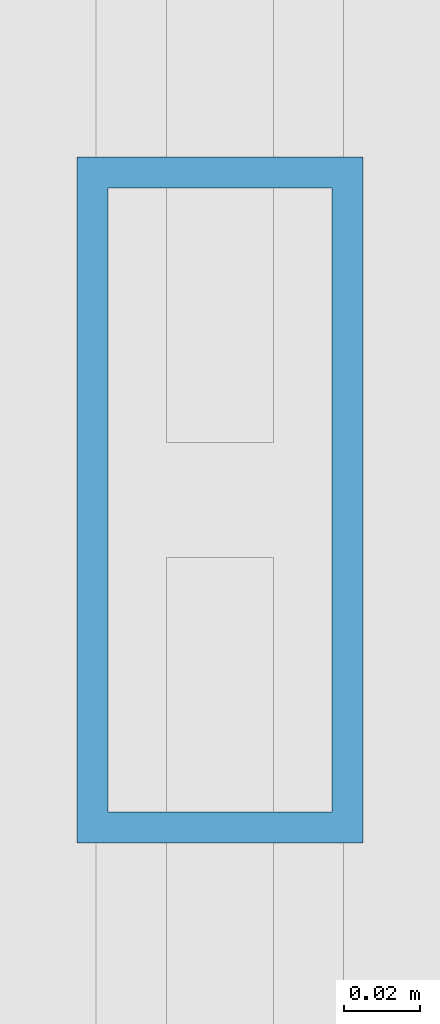
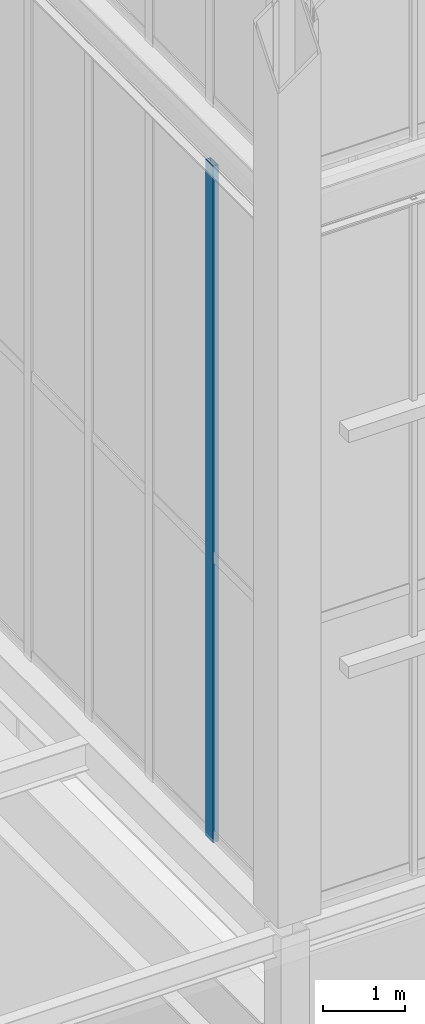
# One storey, part 37 of 135: 1 member, 1 element without a shape of its own.
"""IFC4 building model written with IfcOpenShell, lengths in metres."""

from ifc_helpers import new_model, si_unit, direction, frame, origin, origin_2d, place, context, subcontext, project, spatial, hollow_rectangle, extrude, source, transform, mapped, material, layer, layer_set, material_profile, profile_set, type_object, element, aggregate, save


model = new_model("IFC4")

# Units and contexts
model_context = context("Model", 3, precision=1e-05, world=origin(), true_north=direction((0.0, 1.0)))
body_context = subcontext(model_context, "Body", "Model", "MODEL_VIEW")
ifc_project = project(units=[si_unit("LENGTHUNIT", "METRE"), si_unit("AREAUNIT", "SQUARE_METRE"), si_unit("VOLUMEUNIT", "CUBIC_METRE"), si_unit("PLANEANGLEUNIT", "RADIAN"), si_unit("MASSUNIT", "GRAM", prefix="KILO")], contexts=[model_context])

# Site, building, storey
site_placement = place(None, origin())
site = spatial("IfcSite", under=ifc_project, at=site_placement, CompositionType="ELEMENT")
building_placement = place(site_placement, origin())
building = spatial("IfcBuilding", under=site, at=building_placement, Name="Giltprow Tower", CompositionType="ELEMENT")
storey_placement = place(building_placement, frame((0.0, 0.0, 352.699951171875)))
storey = spatial("IfcBuildingStorey", under=building, at=storey_placement, Name="L92", CompositionType="ELEMENT", Elevation=352.699951171875)

# Curtain wall, member
ifc_material = material(Name="Anodized bronze", Category="metal")
ifc_layer = layer(ifc_material, 0.179931640625, Name="Anodized bronze")
ifc_layer_set = layer_set([ifc_layer], Name="Anodized bronze")
curtain_wall_type = type_object("IfcCurtainWallType", Name="CW-CROWN-LANTERN", PredefinedType="NOTDEFINED", material=ifc_layer_set)
curtain_wall_placement = place(storey_placement, origin())
curtain_wall = element("IfcCurtainWall", 1, at=curtain_wall_placement, inside=storey, type_object=curtain_wall_type, Name="Crown East Lower Lantern Glazing 6", PredefinedType="NOTDEFINED")
ifc_material_profile = material_profile(ifc_material, hollow_rectangle(XDim=0.074951171875, YDim=0.179931640625, WallThickness=0.008056640625, at=origin_2d()), Name="RHS 180x75x8")
ifc_profile_set = profile_set([ifc_material_profile], Name="Anodized bronze")
member_type = type_object("IfcMemberType", Name="CW-MULLION-180x75", PredefinedType="MULLION", material=ifc_profile_set)
shared_shape = source(origin(), body_context, "Body", "SweptSolid", [
    extrude(hollow_rectangle(XDim=0.074951171875, YDim=0.179931640625, WallThickness=0.008056640625, at=origin_2d()), origin(), (0.0, 0.0, 1.0), 10.030029296875),
])
member_placement = place(storey_placement, frame((44.300048828125, 25.322021484375, 6.35009765625), z_axis=(0.0, 0.0, 1.0), x_axis=(1.0, 0.0, 0.0)))
member = element("IfcMember", 2, at=member_placement, type_object=member_type, Name="Crown East Lower Lantern Glazing 6 Mullion 9", PredefinedType="MULLION", context=body_context, shape_type="MappedRepresentation", body=[
    mapped(shared_shape, transform((0.0, 0.0, 0.0), x_axis=(1.0, 0.0, 0.0), y_axis=(0.0, 1.0, 0.0), z_axis=(0.0, 0.0, 1.0), scale=1.0)),
])
aggregate(curtain_wall, [member])

save(model, "model.ifc")
